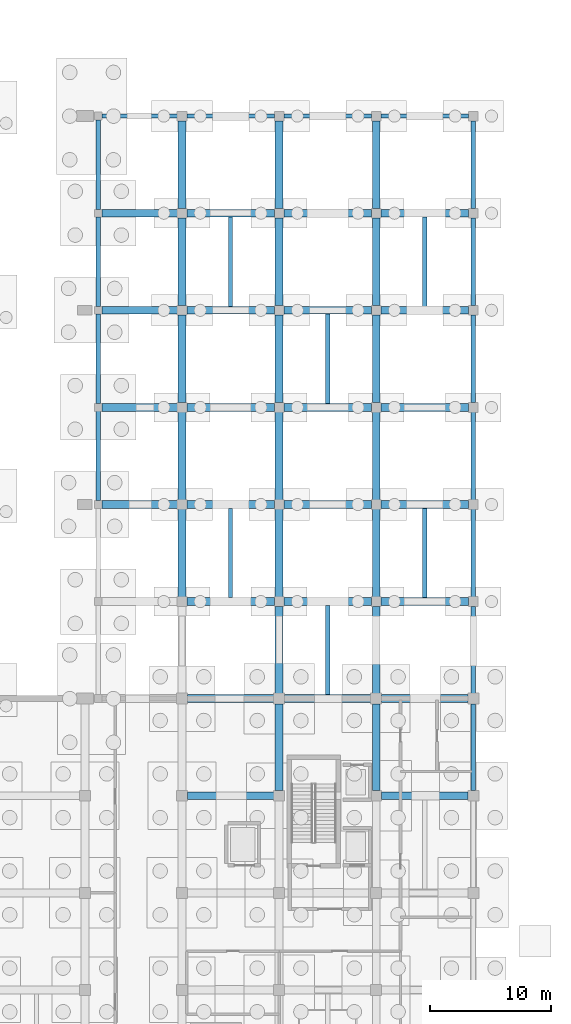
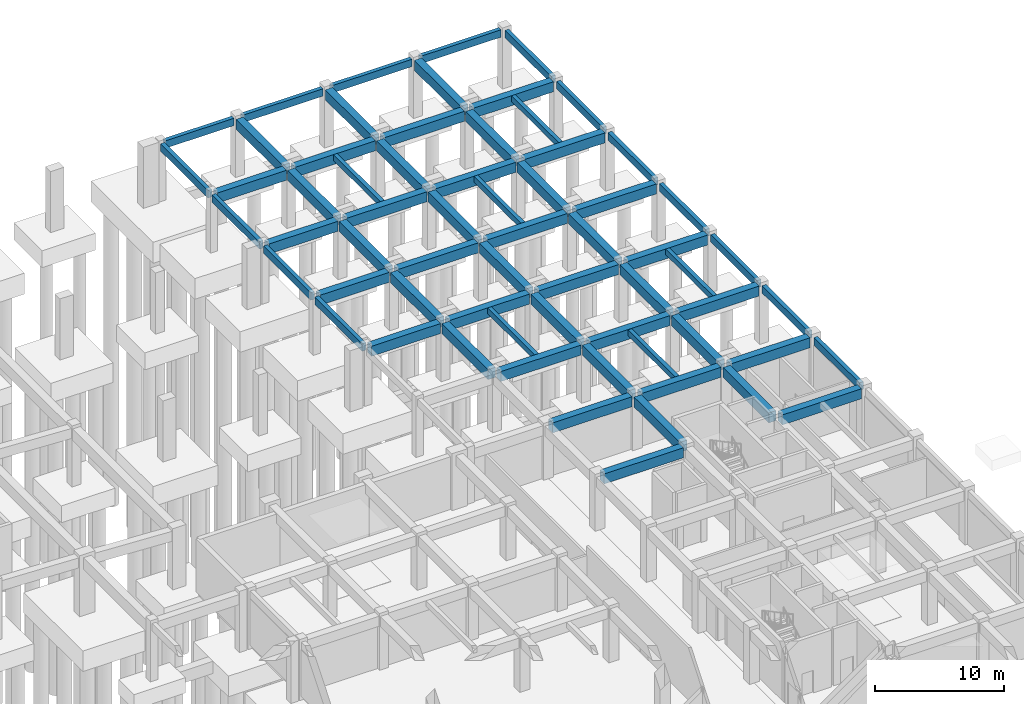
# One storey, part 22 of 45: 64 beams.
"""IFC4 building model written with IfcOpenShell, lengths in metres."""

from ifc_helpers import new_model, si_unit, direction, frame, origin, origin_2d, place, context, subcontext, project, spatial, rectangle, extrude, material, material_profile, profile_set, type_object, element, save


model = new_model("IFC4")

# Units and contexts
model_context = context("Model", 3, precision=1e-05, world=origin(), true_north=direction((0.0, 1.0)))
body_context = subcontext(model_context, "Body", "Model", "MODEL_VIEW")
ifc_project = project(units=[si_unit("LENGTHUNIT", "METRE"), si_unit("AREAUNIT", "SQUARE_METRE"), si_unit("VOLUMEUNIT", "CUBIC_METRE"), si_unit("PLANEANGLEUNIT", "RADIAN"), si_unit("MASSUNIT", "GRAM", prefix="KILO")], contexts=[model_context])

# Site, building, storey
site_placement = place(None, origin())
site = spatial("IfcSite", under=ifc_project, at=site_placement, CompositionType="ELEMENT")
building_placement = place(site_placement, origin())
building = spatial("IfcBuilding", under=site, at=building_placement, Name="Kenh Van Central Station", CompositionType="ELEMENT")
storey_placement = place(building_placement, frame((0.0, 0.0, -5.39990234375)))
storey = spatial("IfcBuildingStorey", under=building, at=storey_placement, Name="B1", CompositionType="ELEMENT", Elevation=-5.39990234375)

# Beams
ifc_material_1 = material(Name="Concrete C40/50", Category="concrete")
ifc_material_profile_1 = material_profile(ifc_material_1, rectangle(XDim=0.64990234375, YDim=0.949951171875, at=origin_2d()), Name="RC 650x950")
ifc_profile_set_1 = profile_set([ifc_material_profile_1], Name="Concrete C40/50")
beam_type_1 = type_object("IfcBeamType", Name="BM-RC-650x950", PredefinedType="BEAM", material=ifc_profile_set_1)
for number, where, z_axis, x_axis, name in (
    (1, (152.43994140625, 56.0, 4.5849609375), (1.0, 0.0, 0.0), (0.0, 1.0, 0.0), "B1 beam 0118"),
    (2, (168.43994140625, 56.0, 4.5849609375), (1.0, 0.0, 0.0), (0.0, 1.0, 0.0), "B1 beam 0119"),
    (3, (152.43994140625, 64.0, 4.5849609375), (1.0, 0.0, 0.0), (0.0, 1.0, 0.0), "B1 beam 0121"),
    (4, (160.43994140625, 64.0, 4.5849609375), (1.0, 0.0, 0.0), (0.0, 1.0, 0.0), "B1 beam 0122"),
    (5, (168.43994140625, 64.0, 4.5849609375), (1.0, 0.0, 0.0), (0.0, 1.0, 0.0), "B1 beam 0123"),
):
    element("IfcBeam", number, at=place(storey_placement, frame(where, z_axis=z_axis, x_axis=x_axis)), inside=storey, type_object=beam_type_1, Name=name, PredefinedType="BEAM", context=body_context, shape_type="SweptSolid", body=[
        extrude(rectangle(XDim=0.64990234375, YDim=0.949951171875, at=origin_2d()), origin(), (0.0, 0.0, 1.0), 7.1201171875),
    ])
for number, where, z_axis, x_axis, name in (
    (6, (152.389892578125, 72.0, 4.625), (1.0, 0.0, 0.0), (0.0, 1.0, 0.0), "B1 beam 0125"),
    (7, (160.389892578125, 72.0, 4.625), (1.0, 0.0, 0.0), (0.0, 1.0, 0.0), "B1 beam 0126"),
    (8, (168.389892578125, 72.0, 4.625), (1.0, 0.0, 0.0), (0.0, 1.0, 0.0), "B1 beam 0127"),
):
    element("IfcBeam", number, at=place(storey_placement, frame(where, z_axis=z_axis, x_axis=x_axis)), inside=storey, type_object=beam_type_1, Name=name, PredefinedType="BEAM", context=body_context, shape_type="SweptSolid", body=[
        extrude(rectangle(XDim=0.64990234375, YDim=0.949951171875, at=origin_2d()), origin(), (0.0, 0.0, 1.0), 7.22021484375),
    ])
beam_1_placement = place(storey_placement, frame((145.4150390625, 80.0, 4.625), z_axis=(1.0, 0.0, 0.0), x_axis=(0.0, 1.0, 0.0)))
element("IfcBeam", 9, at=beam_1_placement, inside=storey, type_object=beam_type_1, Name="B1 beam 0128", PredefinedType="BEAM", context=body_context, shape_type="SweptSolid", body=[
    extrude(rectangle(XDim=0.64990234375, YDim=0.949951171875, at=origin_2d()), origin(), (0.0, 0.0, 1.0), 6.195068359375),
])
for number, where, z_axis, x_axis, name in (
    (10, (152.389892578125, 80.0, 4.625), (1.0, 0.0, 0.0), (0.0, 1.0, 0.0), "B1 beam 0129"),
    (11, (160.389892578125, 80.0, 4.625), (1.0, 0.0, 0.0), (0.0, 1.0, 0.0), "B1 beam 0130"),
    (12, (168.389892578125, 80.0, 4.625), (1.0, 0.0, 0.0), (0.0, 1.0, 0.0), "B1 beam 0131"),
):
    element("IfcBeam", number, at=place(storey_placement, frame(where, z_axis=z_axis, x_axis=x_axis)), inside=storey, type_object=beam_type_1, Name=name, PredefinedType="BEAM", context=body_context, shape_type="SweptSolid", body=[
        extrude(rectangle(XDim=0.64990234375, YDim=0.949951171875, at=origin_2d()), origin(), (0.0, 0.0, 1.0), 7.22021484375),
    ])
beam_2_placement = place(storey_placement, frame((145.4150390625, 88.0, 4.625), z_axis=(1.0, 0.0, 0.0), x_axis=(0.0, 1.0, 0.0)))
element("IfcBeam", 13, at=beam_2_placement, inside=storey, type_object=beam_type_1, Name="B1 beam 0132", PredefinedType="BEAM", context=body_context, shape_type="SweptSolid", body=[
    extrude(rectangle(XDim=0.64990234375, YDim=0.949951171875, at=origin_2d()), origin(), (0.0, 0.0, 1.0), 6.195068359375),
])
for number, where, z_axis, x_axis, name in (
    (14, (152.389892578125, 88.0, 4.625), (1.0, 0.0, 0.0), (0.0, 1.0, 0.0), "B1 beam 0133"),
    (15, (160.389892578125, 88.0, 4.625), (1.0, 0.0, 0.0), (0.0, 1.0, 0.0), "B1 beam 0134"),
    (16, (168.389892578125, 88.0, 4.625), (1.0, 0.0, 0.0), (0.0, 1.0, 0.0), "B1 beam 0135"),
):
    element("IfcBeam", number, at=place(storey_placement, frame(where, z_axis=z_axis, x_axis=x_axis)), inside=storey, type_object=beam_type_1, Name=name, PredefinedType="BEAM", context=body_context, shape_type="SweptSolid", body=[
        extrude(rectangle(XDim=0.64990234375, YDim=0.949951171875, at=origin_2d()), origin(), (0.0, 0.0, 1.0), 7.22021484375),
    ])
beam_3_placement = place(storey_placement, frame((145.4150390625, 96.0, 4.625), z_axis=(1.0, 0.0, 0.0), x_axis=(0.0, 1.0, 0.0)))
element("IfcBeam", 17, at=beam_3_placement, inside=storey, type_object=beam_type_1, Name="B1 beam 0136", PredefinedType="BEAM", context=body_context, shape_type="SweptSolid", body=[
    extrude(rectangle(XDim=0.64990234375, YDim=0.949951171875, at=origin_2d()), origin(), (0.0, 0.0, 1.0), 6.195068359375),
])
for number, where, z_axis, x_axis, name in (
    (18, (152.389892578125, 96.0, 4.625), (1.0, 0.0, 0.0), (0.0, 1.0, 0.0), "B1 beam 0137"),
    (19, (160.389892578125, 96.0, 4.625), (1.0, 0.0, 0.0), (0.0, 1.0, 0.0), "B1 beam 0138"),
    (20, (168.389892578125, 96.0, 4.625), (1.0, 0.0, 0.0), (0.0, 1.0, 0.0), "B1 beam 0139"),
):
    element("IfcBeam", number, at=place(storey_placement, frame(where, z_axis=z_axis, x_axis=x_axis)), inside=storey, type_object=beam_type_1, Name=name, PredefinedType="BEAM", context=body_context, shape_type="SweptSolid", body=[
        extrude(rectangle(XDim=0.64990234375, YDim=0.949951171875, at=origin_2d()), origin(), (0.0, 0.0, 1.0), 7.22021484375),
    ])
beam_4_placement = place(storey_placement, frame((145.4150390625, 104.0, 4.625), z_axis=(1.0, 0.0, 0.0), x_axis=(0.0, 1.0, 0.0)))
element("IfcBeam", 21, at=beam_4_placement, inside=storey, type_object=beam_type_1, Name="B1 beam 0140", PredefinedType="BEAM", context=body_context, shape_type="SweptSolid", body=[
    extrude(rectangle(XDim=0.64990234375, YDim=0.949951171875, at=origin_2d()), origin(), (0.0, 0.0, 1.0), 6.195068359375),
])
for number, where, z_axis, x_axis, name in (
    (22, (152.389892578125, 104.0, 4.625), (1.0, 0.0, 0.0), (0.0, 1.0, 0.0), "B1 beam 0141"),
    (23, (160.389892578125, 104.0, 4.625), (1.0, 0.0, 0.0), (0.0, 1.0, 0.0), "B1 beam 0142"),
    (24, (168.389892578125, 104.0, 4.625), (1.0, 0.0, 0.0), (0.0, 1.0, 0.0), "B1 beam 0143"),
    (25, (152.0, 72.389892578125, 4.625), (0.0, 1.0, 0.0), (-1.0, 0.0, 0.0), "B1 beam 0269"),
    (26, (152.0, 80.389892578125, 4.625), (0.0, 1.0, 0.0), (-1.0, 0.0, 0.0), "B1 beam 0270"),
    (27, (152.0, 88.389892578125, 4.625), (0.0, 1.0, 0.0), (-1.0, 0.0, 0.0), "B1 beam 0271"),
    (28, (152.0, 96.389892578125, 4.625), (0.0, 1.0, 0.0), (-1.0, 0.0, 0.0), "B1 beam 0272"),
    (29, (152.0, 104.389892578125, 4.625), (0.0, 1.0, 0.0), (-1.0, 0.0, 0.0), "B1 beam 0273"),
):
    element("IfcBeam", number, at=place(storey_placement, frame(where, z_axis=z_axis, x_axis=x_axis)), inside=storey, type_object=beam_type_1, Name=name, PredefinedType="BEAM", context=body_context, shape_type="SweptSolid", body=[
        extrude(rectangle(XDim=0.64990234375, YDim=0.949951171875, at=origin_2d()), origin(), (0.0, 0.0, 1.0), 7.22021484375),
    ])
beam_5_placement = place(storey_placement, frame((160.0, 56.43994140625, 4.5849609375), z_axis=(0.0, 1.0, 0.0), x_axis=(-1.0, 0.0, 0.0)))
element("IfcBeam", 30, at=beam_5_placement, inside=storey, type_object=beam_type_1, Name="B1 beam 0280", PredefinedType="BEAM", context=body_context, shape_type="SweptSolid", body=[
    extrude(rectangle(XDim=0.64990234375, YDim=0.949951171875, at=origin_2d()), origin(), (0.0, 0.0, 1.0), 7.1201171875),
])
beam_6_placement = place(storey_placement, frame((160.0, 64.43994140625, 4.625), z_axis=(0.0, 1.0, 0.0), x_axis=(-1.0, 0.0, 0.0)))
element("IfcBeam", 31, at=beam_6_placement, inside=storey, type_object=beam_type_1, Name="B1 beam 0281", PredefinedType="BEAM", context=body_context, shape_type="SweptSolid", body=[
    extrude(rectangle(XDim=0.64990234375, YDim=0.949951171875, at=origin_2d()), origin(), (0.0, 0.0, 1.0), 7.170166015625),
])
for number, where, z_axis, x_axis, name in (
    (32, (160.0, 72.389892578125, 4.625), (0.0, 1.0, 0.0), (-1.0, 0.0, 0.0), "B1 beam 0282"),
    (33, (160.0, 80.389892578125, 4.625), (0.0, 1.0, 0.0), (-1.0, 0.0, 0.0), "B1 beam 0283"),
    (34, (160.0, 88.389892578125, 4.625), (0.0, 1.0, 0.0), (-1.0, 0.0, 0.0), "B1 beam 0284"),
    (35, (160.0, 96.389892578125, 4.625), (0.0, 1.0, 0.0), (-1.0, 0.0, 0.0), "B1 beam 0285"),
    (36, (160.0, 104.389892578125, 4.625), (0.0, 1.0, 0.0), (-1.0, 0.0, 0.0), "B1 beam 0286"),
):
    element("IfcBeam", number, at=place(storey_placement, frame(where, z_axis=z_axis, x_axis=x_axis)), inside=storey, type_object=beam_type_1, Name=name, PredefinedType="BEAM", context=body_context, shape_type="SweptSolid", body=[
        extrude(rectangle(XDim=0.64990234375, YDim=0.949951171875, at=origin_2d()), origin(), (0.0, 0.0, 1.0), 7.22021484375),
    ])
beam_7_placement = place(storey_placement, frame((168.0, 56.43994140625, 4.5849609375), z_axis=(0.0, 1.0, 0.0), x_axis=(-1.0, 0.0, 0.0)))
element("IfcBeam", 37, at=beam_7_placement, inside=storey, type_object=beam_type_1, Name="B1 beam 0293", PredefinedType="BEAM", context=body_context, shape_type="SweptSolid", body=[
    extrude(rectangle(XDim=0.64990234375, YDim=0.949951171875, at=origin_2d()), origin(), (0.0, 0.0, 1.0), 7.1201171875),
])
beam_8_placement = place(storey_placement, frame((168.0, 64.43994140625, 4.625), z_axis=(0.0, 1.0, 0.0), x_axis=(-1.0, 0.0, 0.0)))
element("IfcBeam", 38, at=beam_8_placement, inside=storey, type_object=beam_type_1, Name="B1 beam 0294", PredefinedType="BEAM", context=body_context, shape_type="SweptSolid", body=[
    extrude(rectangle(XDim=0.64990234375, YDim=0.949951171875, at=origin_2d()), origin(), (0.0, 0.0, 1.0), 7.170166015625),
])
for number, where, z_axis, x_axis, name in (
    (39, (168.0, 72.389892578125, 4.625), (0.0, 1.0, 0.0), (-1.0, 0.0, 0.0), "B1 beam 0295"),
    (40, (168.0, 80.389892578125, 4.625), (0.0, 1.0, 0.0), (-1.0, 0.0, 0.0), "B1 beam 0296"),
    (41, (168.0, 88.389892578125, 4.625), (0.0, 1.0, 0.0), (-1.0, 0.0, 0.0), "B1 beam 0297"),
    (42, (168.0, 96.389892578125, 4.625), (0.0, 1.0, 0.0), (-1.0, 0.0, 0.0), "B1 beam 0298"),
    (43, (168.0, 104.389892578125, 4.625), (0.0, 1.0, 0.0), (-1.0, 0.0, 0.0), "B1 beam 0299"),
):
    element("IfcBeam", number, at=place(storey_placement, frame(where, z_axis=z_axis, x_axis=x_axis)), inside=storey, type_object=beam_type_1, Name=name, PredefinedType="BEAM", context=body_context, shape_type="SweptSolid", body=[
        extrude(rectangle(XDim=0.64990234375, YDim=0.949951171875, at=origin_2d()), origin(), (0.0, 0.0, 1.0), 7.22021484375),
    ])
ifc_material_2 = material(Name="Concrete C35/45", Category="concrete")
ifc_material_profile_2 = material_profile(ifc_material_2, rectangle(XDim=0.35009765625, YDim=0.550048828125, at=origin_2d()), Name="RC 350x550")
ifc_profile_set_2 = profile_set([ifc_material_profile_2], Name="Concrete C35/45")
beam_type_2 = type_object("IfcBeamType", Name="JST-RC-350x550", PredefinedType="JOIST", material=ifc_profile_set_2)
for number, where, z_axis, x_axis, name in (
    (44, (156.0, 72.324951171875, 4.824951171875), (0.0, 1.0, 0.0), (-1.0, 0.0, 0.0), "B1 floor joist 0339"),
    (45, (156.0, 96.324951171875, 4.824951171875), (0.0, 1.0, 0.0), (-1.0, 0.0, 0.0), "B1 floor joist 0340"),
    (46, (164.0, 64.324951171875, 4.784912109375), (0.0, 1.0, 0.0), (-1.0, 0.0, 0.0), "B1 floor joist 0343"),
    (47, (164.0, 88.324951171875, 4.824951171875), (0.0, 1.0, 0.0), (-1.0, 0.0, 0.0), "B1 floor joist 0344"),
    (48, (172.0, 72.324951171875, 4.824951171875), (0.0, 1.0, 0.0), (-1.0, 0.0, 0.0), "B1 floor joist 0347"),
    (49, (172.0, 96.324951171875, 4.824951171875), (0.0, 1.0, 0.0), (-1.0, 0.0, 0.0), "B1 floor joist 0348"),
):
    element("IfcBeam", number, at=place(storey_placement, frame(where, z_axis=z_axis, x_axis=x_axis)), inside=storey, type_object=beam_type_2, Name=name, PredefinedType="JOIST", context=body_context, shape_type="SweptSolid", body=[
        extrude(rectangle(XDim=0.35009765625, YDim=0.550048828125, at=origin_2d()), origin(), (0.0, 0.0, 1.0), 7.35009765625),
    ])
ifc_material_profile_3 = material_profile(ifc_material_2, rectangle(XDim=0.35009765625, YDim=0.699951171875, at=origin_2d()), Name="RC 350x700")
ifc_profile_set_3 = profile_set([ifc_material_profile_3], Name="Concrete C35/45")
beam_type_3 = type_object("IfcBeamType", Name="SPD-RC-350x700", PredefinedType="SPANDREL", material=ifc_profile_set_3)
beam_9_placement = place(storey_placement, frame((145.4150390625, 112.0, 4.75), z_axis=(1.0, 0.0, 0.0), x_axis=(0.0, 1.0, 0.0)))
element("IfcBeam", 50, at=beam_9_placement, inside=storey, type_object=beam_type_3, Name="B1 beam 0144", PredefinedType="SPANDREL", context=body_context, shape_type="SweptSolid", body=[
    extrude(rectangle(XDim=0.35009765625, YDim=0.699951171875, at=origin_2d()), origin(), (0.0, 0.0, 1.0), 6.195068359375),
])
for number, where, z_axis, x_axis, name in (
    (51, (152.389892578125, 112.0, 4.75), (1.0, 0.0, 0.0), (0.0, 1.0, 0.0), "B1 beam 0145"),
    (52, (160.389892578125, 112.0, 4.75), (1.0, 0.0, 0.0), (0.0, 1.0, 0.0), "B1 beam 0146"),
    (53, (168.389892578125, 112.0, 4.75), (1.0, 0.0, 0.0), (0.0, 1.0, 0.0), "B1 beam 0147"),
):
    element("IfcBeam", number, at=place(storey_placement, frame(where, z_axis=z_axis, x_axis=x_axis)), inside=storey, type_object=beam_type_3, Name=name, PredefinedType="SPANDREL", context=body_context, shape_type="SweptSolid", body=[
        extrude(rectangle(XDim=0.35009765625, YDim=0.699951171875, at=origin_2d()), origin(), (0.0, 0.0, 1.0), 7.22021484375),
    ])
for number, where, z_axis, x_axis, name in (
    (54, (145.10009765625, 80.31494140625, 4.75), (0.0, 1.0, 0.0), (-1.0, 0.0, 0.0), "B1 beam 0257"),
    (55, (145.10009765625, 88.31494140625, 4.75), (0.0, 1.0, 0.0), (-1.0, 0.0, 0.0), "B1 beam 0258"),
    (56, (145.10009765625, 96.31494140625, 4.75), (0.0, 1.0, 0.0), (-1.0, 0.0, 0.0), "B1 beam 0259"),
    (57, (145.10009765625, 104.31494140625, 4.75), (0.0, 1.0, 0.0), (-1.0, 0.0, 0.0), "B1 beam 0260"),
):
    element("IfcBeam", number, at=place(storey_placement, frame(where, z_axis=z_axis, x_axis=x_axis)), inside=storey, type_object=beam_type_3, Name=name, PredefinedType="SPANDREL", context=body_context, shape_type="SweptSolid", body=[
        extrude(rectangle(XDim=0.35009765625, YDim=0.699951171875, at=origin_2d()), origin(), (0.0, 0.0, 1.0), 7.3701171875),
    ])
beam_10_placement = place(storey_placement, frame((176.0, 56.43994140625, 4.7099609375), z_axis=(0.0, 1.0, 0.0), x_axis=(-1.0, 0.0, 0.0)))
element("IfcBeam", 58, at=beam_10_placement, inside=storey, type_object=beam_type_3, Name="B1 beam 0306", PredefinedType="SPANDREL", context=body_context, shape_type="SweptSolid", body=[
    extrude(rectangle(XDim=0.35009765625, YDim=0.699951171875, at=origin_2d()), origin(), (0.0, 0.0, 1.0), 7.1201171875),
])
beam_11_placement = place(storey_placement, frame((176.0, 64.43994140625, 4.75), z_axis=(0.0, 1.0, 0.0), x_axis=(-1.0, 0.0, 0.0)))
element("IfcBeam", 59, at=beam_11_placement, inside=storey, type_object=beam_type_3, Name="B1 beam 0307", PredefinedType="SPANDREL", context=body_context, shape_type="SweptSolid", body=[
    extrude(rectangle(XDim=0.35009765625, YDim=0.699951171875, at=origin_2d()), origin(), (0.0, 0.0, 1.0), 7.170166015625),
])
for number, where, z_axis, x_axis, name in (
    (60, (176.0, 72.389892578125, 4.75), (0.0, 1.0, 0.0), (-1.0, 0.0, 0.0), "B1 beam 0308"),
    (61, (176.0, 80.389892578125, 4.75), (0.0, 1.0, 0.0), (-1.0, 0.0, 0.0), "B1 beam 0309"),
    (62, (176.0, 88.389892578125, 4.75), (0.0, 1.0, 0.0), (-1.0, 0.0, 0.0), "B1 beam 0310"),
    (63, (176.0, 96.389892578125, 4.75), (0.0, 1.0, 0.0), (-1.0, 0.0, 0.0), "B1 beam 0311"),
    (64, (176.0, 104.389892578125, 4.75), (0.0, 1.0, 0.0), (-1.0, 0.0, 0.0), "B1 beam 0312"),
):
    element("IfcBeam", number, at=place(storey_placement, frame(where, z_axis=z_axis, x_axis=x_axis)), inside=storey, type_object=beam_type_3, Name=name, PredefinedType="SPANDREL", context=body_context, shape_type="SweptSolid", body=[
        extrude(rectangle(XDim=0.35009765625, YDim=0.699951171875, at=origin_2d()), origin(), (0.0, 0.0, 1.0), 7.22021484375),
    ])

save(model, "model.ifc")
